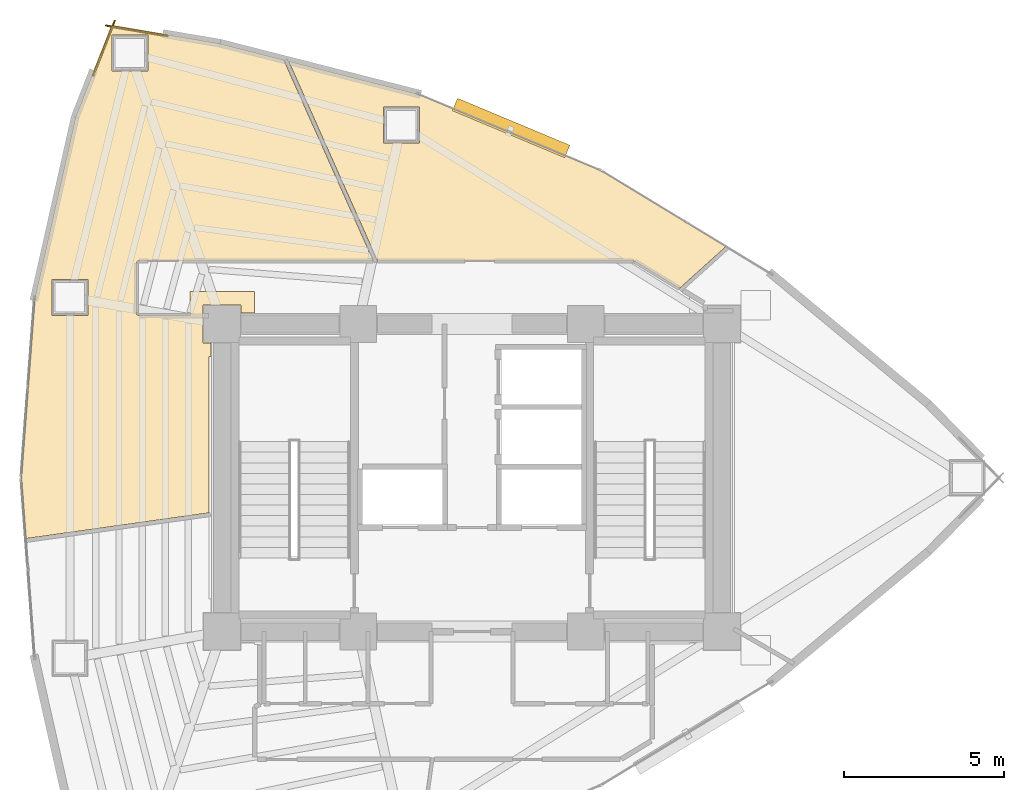
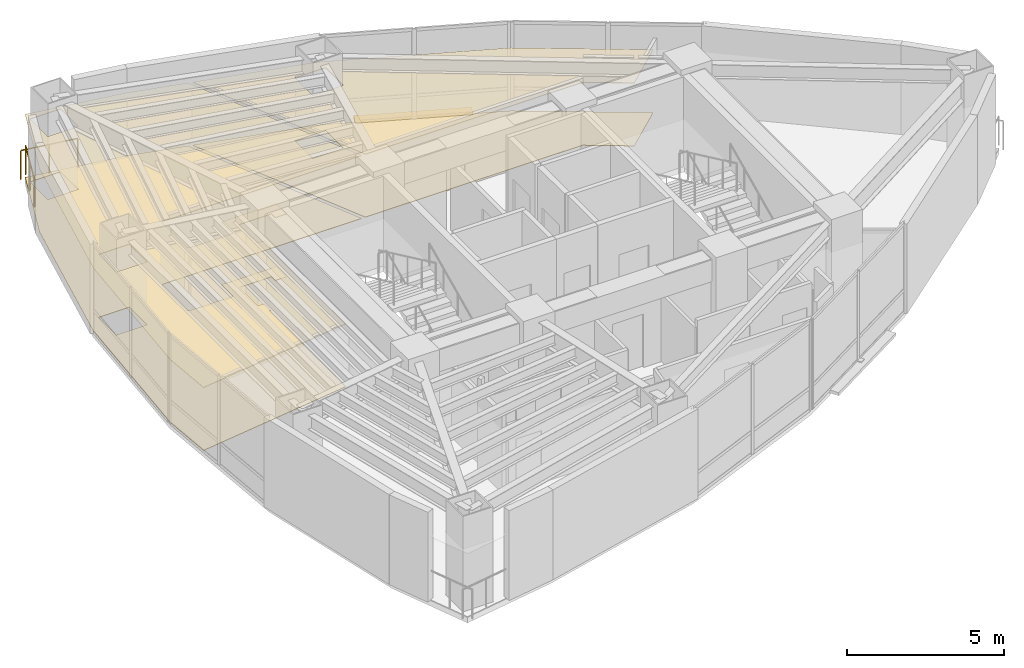
# One storey, part 15 of 15: 4 coverings, 2 railings, 1 shading device.
"""IFC4 building model written with IfcOpenShell, lengths in metres."""

import ifcopenshell
import ifcopenshell.guid

model = None  # the IFC model being written
_history = None  # IfcOwnerHistory: only IFC2X3 demands one
_inside = {}  # id of a spatial element -> (the spatial element, [elements in it])
_under = {}  # id of a project, library or spatial element -> (it, [spatial elements below it])
_declared = {}  # id of a project -> (the project, [libraries it declares])
_typed = {}  # id of a type object -> (the type object, [elements of that type])
_made_of = {}  # id of a material, layer set ... -> (it, [elements and type objects made of it])


def new_model(schema):
    """Start an empty IFC model of exactly this schema.

    Asked for "IFC4X3", IfcOpenShell would pick the latest addendum, in which some entities
    have other attributes; the version numbers below select the first issue.
    IFC2X3 requires an IfcOwnerHistory on every rooted entity: one is made here for all.
    """
    global model, _history
    if schema == "IFC4X3":
        model = ifcopenshell.file(schema_version=(4, 3, 0, 0))
    else:
        model = ifcopenshell.file(schema=schema)
    _inside.clear()
    _under.clear()
    _declared.clear()
    _typed.clear()
    _made_of.clear()
    _history = None
    if model.schema == "IFC2X3":
        org = make("IfcOrganization", Name="unknown")
        user = make(
            "IfcPersonAndOrganization",
            ThePerson=make("IfcPerson", FamilyName="unknown"),
            TheOrganization=org,
        )
        app = make(
            "IfcApplication",
            ApplicationDeveloper=org,
            Version="unknown",
            ApplicationFullName="unknown",
            ApplicationIdentifier="unknown",
        )
        _history = make(
            "IfcOwnerHistory",
            OwningUser=user,
            OwningApplication=app,
            ChangeAction="ADDED",
            CreationDate=0,
        )
    return model


def make(cls, **values):
    """One entity of the class cls with the attributes given. An attribute that is None is left unset."""
    return model.create_entity(
        cls, **{name: value for name, value in values.items() if value is not None}
    )


def rooted(cls, **values):
    """An entity with a GlobalId (a new one), such as an element, a storey or a relation."""
    return make(cls, GlobalId=ifcopenshell.guid.new(), OwnerHistory=_history, **values)


def si_unit(unit_type, name, prefix=None):
    """IfcSIUnit, for example si_unit("LENGTHUNIT", "METRE", prefix="MILLI")."""
    return make("IfcSIUnit", UnitType=unit_type, Prefix=prefix, Name=name)


def assignment(units):
    """IfcUnitAssignment: the units of a project."""
    return None if units is None else make("IfcUnitAssignment", Units=units)


def point(xyz):
    """IfcCartesianPoint."""
    return None if xyz is None else make("IfcCartesianPoint", Coordinates=xyz)


def direction(xyz):
    """IfcDirection."""
    return None if xyz is None else make("IfcDirection", DirectionRatios=xyz)


def frame(location, z_axis=None, x_axis=None):
    """IfcAxis2Placement3D, a coordinate frame: its origin and axes. An axis left out is left unset."""
    return make(
        "IfcAxis2Placement3D",
        Location=point(location),
        Axis=direction(z_axis),
        RefDirection=direction(x_axis),
    )


def frame_2d(location, x_axis=None):
    """IfcAxis2Placement2D, a coordinate frame in the plane: its origin and x axis."""
    return make(
        "IfcAxis2Placement2D", Location=point(location), RefDirection=direction(x_axis)
    )


def origin():
    """The frame at (0, 0, 0) with its axes left unset."""
    return frame((0.0, 0.0, 0.0))


def origin_2d():
    """The frame at (0, 0) in the plane with its x axis left unset."""
    return frame_2d((0.0, 0.0))


def place(relative_to, where):
    """IfcLocalPlacement: puts the frame where relative to a parent placement (None: the world)."""
    return make(
        "IfcLocalPlacement", PlacementRelTo=relative_to, RelativePlacement=where
    )


def context(
    kind, dimensions, precision=None, world=None, true_north=None, identifier=None
):
    """IfcGeometricRepresentationContext, for example the 3D "Model" context."""
    return make(
        "IfcGeometricRepresentationContext",
        ContextIdentifier=identifier,
        ContextType=kind,
        CoordinateSpaceDimension=dimensions,
        Precision=precision,
        WorldCoordinateSystem=world,
        TrueNorth=true_north,
    )


def subcontext(parent, identifier, kind, view, scale=None):
    """IfcGeometricRepresentationSubContext, for example "Body" below "Model"."""
    return make(
        "IfcGeometricRepresentationSubContext",
        ContextIdentifier=identifier,
        ContextType=kind,
        ParentContext=parent,
        TargetScale=scale,
        TargetView=view,
    )


def project(units=None, contexts=None):
    """IfcProject with its units and contexts."""
    return rooted(
        "IfcProject",
        Name="project",
        RepresentationContexts=contexts,
        UnitsInContext=assignment(units),
    )


def spatial(cls, under=None, at=None, **own):
    """A site, building, storey or space (cls), placed at a placement, below another one or the project."""
    s = rooted(cls, ObjectPlacement=at, **own)
    if under is not None:
        _under.setdefault(under.id(), (under, []))[1].append(s)
    return s


def polyline(points):
    """IfcPolyline through the points."""
    return make("IfcPolyline", Points=[point(p) for p in points])


def profile(cls, at=None, kind="AREA", **sizes):
    """A parametric profile (cls). Its sizes go by their IFC names, for example OverallWidth=200.0."""
    return make(cls, ProfileType=kind, Position=at, **sizes)


def rectangle(**sizes):
    """IfcRectangleProfileDef."""
    return profile("IfcRectangleProfileDef", **sizes)


def circle(**sizes):
    """IfcCircleProfileDef."""
    return profile("IfcCircleProfileDef", **sizes)


def outline(outer, holes=None, kind="AREA"):
    """IfcArbitraryClosedProfileDef: a profile drawn as a closed curve; with holes, ...WithVoids."""
    if holes is None:
        return make("IfcArbitraryClosedProfileDef", ProfileType=kind, OuterCurve=outer)
    return make(
        "IfcArbitraryProfileDefWithVoids",
        ProfileType=kind,
        OuterCurve=outer,
        InnerCurves=holes,
    )


def extrude(swept, where, along, depth):
    """IfcExtrudedAreaSolid: the profile swept, set in the frame where, extruded along a direction by depth."""
    return make(
        "IfcExtrudedAreaSolid",
        SweptArea=swept,
        Position=where,
        ExtrudedDirection=direction(along),
        Depth=depth,
    )


def shape(context_of_items, identifier, shape_type, items):
    """IfcShapeRepresentation: the items that make up one representation, for example the "Body"."""
    return make(
        "IfcShapeRepresentation",
        ContextOfItems=context_of_items,
        RepresentationIdentifier=identifier,
        RepresentationType=shape_type,
        Items=items,
    )


def material(Name=None, Category=None):
    """IfcMaterial."""
    return make("IfcMaterial", Name=Name, Category=Category)


def layer(
    of_material, thickness, ventilated=None, Name=None, Category=None, Priority=None
):
    """IfcMaterialLayer: one layer of a wall or slab, of a material (None: an air gap)."""
    return make(
        "IfcMaterialLayer",
        Material=of_material,
        LayerThickness=thickness,
        IsVentilated=ventilated,
        Name=Name,
        Category=Category,
        Priority=Priority,
    )


def layer_set(layers, Name=None):
    """IfcMaterialLayerSet."""
    return make("IfcMaterialLayerSet", MaterialLayers=layers, LayerSetName=Name)


def made_of(thing, what):
    """Note that an element or type object is made of a material, layer set ...; save() writes the relation."""
    if what is not None:
        _made_of.setdefault(what.id(), (what, []))[1].append(thing)
    return thing


def type_object(cls, material=None, **own):
    """A type object (cls), such as IfcWallType, which elements share."""
    return made_of(rooted(cls, **own), material)


def element(
    cls,
    number,
    at=None,
    inside=None,
    cuts=None,
    type_object=None,
    material=None,
    context=None,
    identifier="Body",
    shape_type=None,
    held_by="IfcProductDefinitionShape",
    body=None,
    shapes=None,
    **own,
):
    """One element of the class cls, such as IfcWall. Its Tag is "e" and its number.

    at: its placement. inside: the storey or other place that contains it. cuts: it is an
    opening in that element (IfcRelVoidsElement). A single representation is given by context,
    identifier, shape_type and body (its items); several are given by shapes. held_by: the class
    of the entity that holds the representations. save() writes the other relations.
    """
    e = rooted(cls, Tag="e%d" % number, ObjectPlacement=at, **own)
    if body is not None:
        shapes = [shape(context, identifier, shape_type, body)]
    if shapes is not None:
        e.Representation = make(held_by, Representations=shapes)
    if inside is not None:
        _inside.setdefault(inside.id(), (inside, []))[1].append(e)
    if cuts is not None:
        rooted(
            "IfcRelVoidsElement", RelatingBuildingElement=cuts, RelatedOpeningElement=e
        )
    if type_object is not None:
        _typed.setdefault(type_object.id(), (type_object, []))[1].append(e)
    return made_of(e, material)


def aggregate(whole, parts):
    """IfcRelAggregates: a whole, such as a stair, and the parts it consists of."""
    return rooted("IfcRelAggregates", RelatingObject=whole, RelatedObjects=parts)


def save(model, path):
    """Write the relations noted so far, then the file.

    IfcRelAggregates (storeys below a building ...), IfcRelContainedInSpatialStructure (elements
    in a storey), IfcRelDefinesByType, IfcRelAssociatesMaterial and IfcRelDeclares: one each for
    every whole, place, type object, material and project.
    """
    for whole, parts in _under.values():
        aggregate(whole, parts)
    for where, things in _inside.values():
        rooted(
            "IfcRelContainedInSpatialStructure",
            RelatedElements=things,
            RelatingStructure=where,
        )
    for kind, things in _typed.values():
        rooted("IfcRelDefinesByType", RelatedObjects=things, RelatingType=kind)
    for what, things in _made_of.values():
        rooted("IfcRelAssociatesMaterial", RelatedObjects=things, RelatingMaterial=what)
    for by, libraries in _declared.values():
        rooted("IfcRelDeclares", RelatingContext=by, RelatedDefinitions=libraries)
    model.write(path)


model = new_model("IFC4")

# Units and contexts
model_context = context("Model", 3, precision=1e-05, world=origin(), true_north=direction((0.0, 1.0)))
body_context = subcontext(model_context, "Body", "Model", "MODEL_VIEW")
ifc_project = project(units=[si_unit("LENGTHUNIT", "METRE"), si_unit("AREAUNIT", "SQUARE_METRE"), si_unit("VOLUMEUNIT", "CUBIC_METRE"), si_unit("PLANEANGLEUNIT", "RADIAN"), si_unit("MASSUNIT", "GRAM", prefix="KILO")], contexts=[model_context])

# Site, building, storey
site_placement = place(None, origin())
site = spatial("IfcSite", under=ifc_project, at=site_placement, CompositionType="ELEMENT")
building_placement = place(site_placement, origin())
building = spatial("IfcBuilding", under=site, at=building_placement, Name="Menara Vayukalpa", CompositionType="ELEMENT")
storey_placement = place(building_placement, frame((0.0, 0.0, 137.4599609375)))
storey = spatial("IfcBuildingStorey", under=building, at=storey_placement, Name="L34", CompositionType="ELEMENT", Elevation=137.4599609375)

# Coverings
ifc_material_1 = material(Name="Mineral Fibre Acoustic Ceiling Tile", Category="masonry")
ifc_layer_1 = layer(ifc_material_1, 0.02490234375)
ifc_layer_set_1 = layer_set([ifc_layer_1], Name="Mineral Fibre Acoustic Ceiling Tile")
covering_type_1 = type_object("IfcCoveringType", Name="COV-CLG1", PredefinedType="CEILING", material=ifc_layer_set_1)
covering_1_placement = place(storey_placement, frame((0.0, 0.0, 2.449951171875)))
element("IfcCovering", 1, at=covering_1_placement, inside=storey, type_object=covering_type_1, Name="L34 Corporate Training Classroom Acoustic Ceiling", PredefinedType="CEILING", context=body_context, shape_type="SweptSolid", body=[
    extrude(outline(polyline([(29.631591796875, 31.582275390625), (29.632080078125, 31.58203125), (29.6328125, 31.58154296875), (33.513916015625, 29.223876953125), (33.514892578125, 29.223388671875), (33.515625, 29.22265625), (33.51611328125, 29.221923828125), (33.516845703125, 29.22119140625), (33.517333984375, 29.220458984375), (33.517822265625, 29.219482421875), (33.518310546875, 29.218505859375), (33.5185546875, 29.2177734375), (33.518798828125, 29.216796875), (33.518798828125, 29.2158203125), (33.518798828125, 29.21484375), (33.518798828125, 29.2138671875), (33.5185546875, 29.212890625), (33.518310546875, 29.2119140625), (33.517822265625, 29.2109375), (33.517333984375, 29.210205078125), (33.516845703125, 29.209228515625), (33.51611328125, 29.20849609375), (33.515380859375, 29.2080078125), (32.080078125, 27.915283203125), (32.0791015625, 27.914794921875), (32.078369140625, 27.914306640625), (32.077392578125, 27.913818359375), (32.07666015625, 27.913330078125), (32.07568359375, 27.9130859375), (32.07470703125, 27.912841796875), (32.07373046875, 27.912841796875), (32.07275390625, 27.912841796875), (32.07177734375, 27.912841796875), (32.07080078125, 27.9130859375), (32.06982421875, 27.913330078125), (32.069091796875, 27.913818359375), (32.068115234375, 27.914306640625), (30.67626953125, 28.759765625), (30.670654296875, 28.762939453125), (30.664794921875, 28.765380859375), (30.65869140625, 28.767333984375), (30.65234375, 28.768798828125), (30.646240234375, 28.769775390625), (30.6396484375, 28.77001953125), (22.657958984375, 28.77001953125), (22.656982421875, 28.77001953125), (22.656005859375, 28.770263671875), (22.6552734375, 28.7705078125), (22.654296875, 28.770751953125), (22.6533203125, 28.77099609375), (22.652587890625, 28.771484375), (22.65185546875, 28.772216796875), (22.651123046875, 28.772705078125), (22.650390625, 28.7734375), (22.64990234375, 28.7744140625), (22.6494140625, 28.775146484375), (22.64892578125, 28.77587890625), (19.8828125, 34.98876953125), (19.88232421875, 34.989501953125), (19.882080078125, 34.990478515625), (19.882080078125, 34.991455078125), (19.8818359375, 34.992431640625), (19.8818359375, 34.993408203125), (19.882080078125, 34.994384765625), (19.882080078125, 34.995361328125), (19.882568359375, 34.996337890625), (19.8828125, 34.997314453125), (19.88330078125, 34.998046875), (19.884033203125, 34.998779296875), (19.884521484375, 34.99951171875), (19.88525390625, 35.000244140625), (19.885986328125, 35.0009765625), (19.886962890625, 35.00146484375), (19.8876953125, 35.001953125), (19.888671875, 35.002197265625), (19.8896484375, 35.00244140625), (19.890380859375, 35.002685546875), (19.8916015625, 35.002685546875), (19.892333984375, 35.002685546875), (19.893310546875, 35.002685546875), (19.894287109375, 35.00244140625), (23.89208984375, 33.98291015625), (23.8935546875, 33.982421875), (29.631591796875, 31.582275390625)]), holes=[polyline([(23.9619140625, 33.576904296875), (22.831787109375, 33.576904296875), (22.831787109375, 32.447021484375), (23.9619140625, 32.447021484375), (23.9619140625, 33.576904296875)])]), origin(), (0.0, 0.0, 1.0), 0.025146484375),
])
covering_2_placement = place(storey_placement, frame((0.0, 0.0, 2.449951171875)))
element("IfcCovering", 2, at=covering_2_placement, inside=storey, type_object=covering_type_1, Name="L34 Corporate Training Classroom Acoustic Ceiling", PredefinedType="CEILING", context=body_context, shape_type="SweptSolid", body=[
    extrude(outline(polyline([(18.81005859375, 27.14990234375), (18.389892578125, 27.14990234375), (18.389892578125, 27.389892578125), (17.2099609375, 27.389892578125), (17.2099609375, 26.2099609375), (17.449951171875, 26.2099609375), (17.449951171875, 25.7900390625), (17.389892578125, 25.7900390625), (17.389892578125, 20.915283203125), (17.389892578125, 20.914306640625), (17.389892578125, 20.91357421875), (17.3896484375, 20.91259765625), (17.389404296875, 20.91162109375), (17.388916015625, 20.910888671875), (17.388427734375, 20.909912109375), (17.387939453125, 20.9091796875), (17.38720703125, 20.908447265625), (17.386474609375, 20.90771484375), (17.3857421875, 20.9072265625), (17.385009765625, 20.90673828125), (17.384033203125, 20.90625), (17.38330078125, 20.906005859375), (17.38232421875, 20.90576171875), (17.38134765625, 20.905517578125), (11.689453125, 20.105712890625), (11.6884765625, 20.10546875), (11.6875, 20.10546875), (11.6865234375, 20.105712890625), (11.685791015625, 20.105712890625), (11.684814453125, 20.106201171875), (11.683837890625, 20.1064453125), (11.68310546875, 20.10693359375), (11.68212890625, 20.107421875), (11.681396484375, 20.10791015625), (11.680908203125, 20.108642578125), (11.68017578125, 20.109375), (11.6796875, 20.110107421875), (11.67919921875, 20.111083984375), (11.6787109375, 20.11181640625), (11.678466796875, 20.11279296875), (11.67822265625, 20.11376953125), (11.677978515625, 20.11474609375), (11.536865234375, 21.999267578125), (11.536865234375, 22.0), (11.536865234375, 22.000732421875), (11.958984375, 27.62939453125), (11.958984375, 27.631103515625), (13.2255859375, 33.260009765625), (13.225830078125, 33.2607421875), (13.22607421875, 33.261474609375), (14.348876953125, 36.120361328125), (14.349365234375, 36.12109375), (14.349853515625, 36.1220703125), (14.350341796875, 36.122802734375), (14.35107421875, 36.12353515625), (14.351806640625, 36.124267578125), (14.3525390625, 36.125), (14.353271484375, 36.12548828125), (14.354248046875, 36.125732421875), (14.35498046875, 36.126220703125), (14.35595703125, 36.12646484375), (14.35693359375, 36.126708984375), (14.35791015625, 36.126708984375), (14.35888671875, 36.126708984375), (14.35986328125, 36.126708984375), (17.730712890625, 35.55419921875), (17.7314453125, 35.55419921875), (19.7236328125, 35.0458984375), (19.724609375, 35.045654296875), (19.7255859375, 35.04541015625), (19.7265625, 35.044921875), (19.727294921875, 35.044189453125), (19.72802734375, 35.04345703125), (19.728759765625, 35.042724609375), (19.7294921875, 35.0419921875), (19.72998046875, 35.041015625), (19.73046875, 35.040283203125), (19.730712890625, 35.039306640625), (19.73095703125, 35.038330078125), (19.731201171875, 35.03662109375), (19.73291015625, 35.03076171875), (19.735107421875, 35.025146484375), (22.513916015625, 28.7841796875), (22.51416015625, 28.783203125), (22.514404296875, 28.7822265625), (22.5146484375, 28.78125), (22.5146484375, 28.7802734375), (22.5146484375, 28.779296875), (22.514404296875, 28.7783203125), (22.514404296875, 28.77734375), (22.513916015625, 28.7763671875), (22.513671875, 28.775390625), (22.51318359375, 28.774658203125), (22.512451171875, 28.773681640625), (22.51171875, 28.77294921875), (22.510986328125, 28.772216796875), (22.51025390625, 28.771728515625), (22.509521484375, 28.771240234375), (22.508544921875, 28.770751953125), (22.507568359375, 28.7705078125), (22.506591796875, 28.770263671875), (22.505615234375, 28.77001953125), (22.504638671875, 28.77001953125), (15.2001953125, 28.77001953125), (15.193115234375, 28.76953125), (15.186279296875, 28.768798828125), (15.1796875, 28.76708984375), (15.173095703125, 28.7646484375), (15.1669921875, 28.76171875), (15.1611328125, 28.75830078125), (15.155517578125, 28.75390625), (15.150390625, 28.74951171875), (15.14599609375, 28.744384765625), (15.141845703125, 28.73876953125), (15.13818359375, 28.73291015625), (15.13525390625, 28.726806640625), (15.133056640625, 28.72021484375), (15.13134765625, 28.713623046875), (15.13037109375, 28.706787109375), (15.1298828125, 28.69970703125), (15.1298828125, 27.140380859375), (15.13037109375, 27.13330078125), (15.13134765625, 27.126220703125), (15.133056640625, 27.11962890625), (15.13525390625, 27.11328125), (15.13818359375, 27.10693359375), (15.141845703125, 27.101318359375), (15.14599609375, 27.095458984375), (15.150390625, 27.090576171875), (15.155517578125, 27.0859375), (15.1611328125, 27.081787109375), (15.1669921875, 27.078125), (15.173095703125, 27.0751953125), (15.1796875, 27.072998046875), (15.186279296875, 27.0712890625), (15.193115234375, 27.0703125), (15.2001953125, 27.070068359375), (16.7900390625, 27.070068359375), (16.7900390625, 27.81005859375), (18.81005859375, 27.81005859375), (18.81005859375, 27.14990234375)]), holes=[polyline([(13.614013671875, 28.19677734375), (12.484130859375, 28.19677734375), (12.484130859375, 27.06689453125), (13.614013671875, 27.06689453125), (13.614013671875, 28.19677734375)]), polyline([(15.485595703125, 35.825439453125), (14.35546875, 35.825439453125), (14.35546875, 34.695556640625), (15.485595703125, 34.695556640625), (15.485595703125, 35.825439453125)])]), origin(), (0.0, 0.0, 1.0), 0.025146484375),
])
ifc_material_2 = material(Name="Porcelain Stoneware Floor Tile", Category="masonry")
ifc_layer_2 = layer(ifc_material_2, 0.02001953125)
ifc_layer_set_2 = layer_set([ifc_layer_2], Name="Porcelain Stoneware Floor Tile")
covering_type_2 = type_object("IfcCoveringType", Name="COV-FLR1", PredefinedType="FLOORING", material=ifc_layer_set_2)
covering_3_placement = place(storey_placement, origin())
element("IfcCovering", 3, at=covering_3_placement, inside=storey, type_object=covering_type_2, Name="L34 Corporate Training Classroom Porcelain Flooring", PredefinedType="FLOORING", context=body_context, shape_type="SweptSolid", body=[
    extrude(outline(polyline([(29.631591796875, 31.582275390625), (29.632080078125, 31.58203125), (29.6328125, 31.58154296875), (33.513916015625, 29.223876953125), (33.514892578125, 29.223388671875), (33.515625, 29.22265625), (33.51611328125, 29.221923828125), (33.516845703125, 29.22119140625), (33.517333984375, 29.220458984375), (33.517822265625, 29.219482421875), (33.518310546875, 29.218505859375), (33.5185546875, 29.2177734375), (33.518798828125, 29.216796875), (33.518798828125, 29.2158203125), (33.518798828125, 29.21484375), (33.518798828125, 29.2138671875), (33.5185546875, 29.212890625), (33.518310546875, 29.2119140625), (33.517822265625, 29.2109375), (33.517333984375, 29.210205078125), (33.516845703125, 29.209228515625), (33.51611328125, 29.20849609375), (33.515380859375, 29.2080078125), (32.080078125, 27.915283203125), (32.0791015625, 27.914794921875), (32.078369140625, 27.914306640625), (32.077392578125, 27.913818359375), (32.07666015625, 27.913330078125), (32.07568359375, 27.9130859375), (32.07470703125, 27.912841796875), (32.07373046875, 27.912841796875), (32.07275390625, 27.912841796875), (32.07177734375, 27.912841796875), (32.07080078125, 27.9130859375), (32.06982421875, 27.913330078125), (32.069091796875, 27.913818359375), (32.068115234375, 27.914306640625), (30.67626953125, 28.759765625), (30.670654296875, 28.762939453125), (30.664794921875, 28.765380859375), (30.65869140625, 28.767333984375), (30.65234375, 28.768798828125), (30.646240234375, 28.769775390625), (30.6396484375, 28.77001953125), (22.657958984375, 28.77001953125), (22.656982421875, 28.77001953125), (22.656005859375, 28.770263671875), (22.6552734375, 28.7705078125), (22.654296875, 28.770751953125), (22.6533203125, 28.77099609375), (22.652587890625, 28.771484375), (22.65185546875, 28.772216796875), (22.651123046875, 28.772705078125), (22.650390625, 28.7734375), (22.64990234375, 28.7744140625), (22.6494140625, 28.775146484375), (22.64892578125, 28.77587890625), (19.8828125, 34.98876953125), (19.88232421875, 34.989501953125), (19.882080078125, 34.990478515625), (19.882080078125, 34.991455078125), (19.8818359375, 34.992431640625), (19.8818359375, 34.993408203125), (19.882080078125, 34.994384765625), (19.882080078125, 34.995361328125), (19.882568359375, 34.996337890625), (19.8828125, 34.997314453125), (19.88330078125, 34.998046875), (19.884033203125, 34.998779296875), (19.884521484375, 34.99951171875), (19.88525390625, 35.000244140625), (19.885986328125, 35.0009765625), (19.886962890625, 35.00146484375), (19.8876953125, 35.001953125), (19.888671875, 35.002197265625), (19.8896484375, 35.00244140625), (19.890380859375, 35.002685546875), (19.8916015625, 35.002685546875), (19.892333984375, 35.002685546875), (19.893310546875, 35.002685546875), (19.894287109375, 35.00244140625), (23.89208984375, 33.98291015625), (23.8935546875, 33.982421875), (29.631591796875, 31.582275390625)]), holes=[polyline([(23.9619140625, 33.576904296875), (22.831787109375, 33.576904296875), (22.831787109375, 32.447021484375), (23.9619140625, 32.447021484375), (23.9619140625, 33.576904296875)])]), origin(), (0.0, 0.0, 1.0), 0.02001953125),
])
covering_4_placement = place(storey_placement, origin())
element("IfcCovering", 4, at=covering_4_placement, inside=storey, type_object=covering_type_2, Name="L34 Corporate Training Classroom Porcelain Flooring", PredefinedType="FLOORING", context=body_context, shape_type="SweptSolid", body=[
    extrude(outline(polyline([(18.81005859375, 27.14990234375), (18.389892578125, 27.14990234375), (18.389892578125, 27.389892578125), (17.2099609375, 27.389892578125), (17.2099609375, 26.2099609375), (17.449951171875, 26.2099609375), (17.449951171875, 25.7900390625), (17.389892578125, 25.7900390625), (17.389892578125, 20.915283203125), (17.389892578125, 20.914306640625), (17.389892578125, 20.91357421875), (17.3896484375, 20.91259765625), (17.389404296875, 20.91162109375), (17.388916015625, 20.910888671875), (17.388427734375, 20.909912109375), (17.387939453125, 20.9091796875), (17.38720703125, 20.908447265625), (17.386474609375, 20.90771484375), (17.3857421875, 20.9072265625), (17.385009765625, 20.90673828125), (17.384033203125, 20.90625), (17.38330078125, 20.906005859375), (17.38232421875, 20.90576171875), (17.38134765625, 20.905517578125), (11.689453125, 20.105712890625), (11.6884765625, 20.10546875), (11.6875, 20.10546875), (11.6865234375, 20.105712890625), (11.685791015625, 20.105712890625), (11.684814453125, 20.106201171875), (11.683837890625, 20.1064453125), (11.68310546875, 20.10693359375), (11.68212890625, 20.107421875), (11.681396484375, 20.10791015625), (11.680908203125, 20.108642578125), (11.68017578125, 20.109375), (11.6796875, 20.110107421875), (11.67919921875, 20.111083984375), (11.6787109375, 20.11181640625), (11.678466796875, 20.11279296875), (11.67822265625, 20.11376953125), (11.677978515625, 20.11474609375), (11.536865234375, 21.999267578125), (11.536865234375, 22.0), (11.536865234375, 22.000732421875), (11.958984375, 27.62939453125), (11.958984375, 27.631103515625), (13.2255859375, 33.260009765625), (13.225830078125, 33.2607421875), (13.22607421875, 33.261474609375), (14.348876953125, 36.120361328125), (14.349365234375, 36.12109375), (14.349853515625, 36.1220703125), (14.350341796875, 36.122802734375), (14.35107421875, 36.12353515625), (14.351806640625, 36.124267578125), (14.3525390625, 36.125), (14.353271484375, 36.12548828125), (14.354248046875, 36.125732421875), (14.35498046875, 36.126220703125), (14.35595703125, 36.12646484375), (14.35693359375, 36.126708984375), (14.35791015625, 36.126708984375), (14.35888671875, 36.126708984375), (14.35986328125, 36.126708984375), (17.730712890625, 35.55419921875), (17.7314453125, 35.55419921875), (19.7236328125, 35.0458984375), (19.724609375, 35.045654296875), (19.7255859375, 35.04541015625), (19.7265625, 35.044921875), (19.727294921875, 35.044189453125), (19.72802734375, 35.04345703125), (19.728759765625, 35.042724609375), (19.7294921875, 35.0419921875), (19.72998046875, 35.041015625), (19.73046875, 35.040283203125), (19.730712890625, 35.039306640625), (19.73095703125, 35.038330078125), (19.731201171875, 35.03662109375), (19.73291015625, 35.03076171875), (19.735107421875, 35.025146484375), (22.513916015625, 28.7841796875), (22.51416015625, 28.783203125), (22.514404296875, 28.7822265625), (22.5146484375, 28.78125), (22.5146484375, 28.7802734375), (22.5146484375, 28.779296875), (22.514404296875, 28.7783203125), (22.514404296875, 28.77734375), (22.513916015625, 28.7763671875), (22.513671875, 28.775390625), (22.51318359375, 28.774658203125), (22.512451171875, 28.773681640625), (22.51171875, 28.77294921875), (22.510986328125, 28.772216796875), (22.51025390625, 28.771728515625), (22.509521484375, 28.771240234375), (22.508544921875, 28.770751953125), (22.507568359375, 28.7705078125), (22.506591796875, 28.770263671875), (22.505615234375, 28.77001953125), (22.504638671875, 28.77001953125), (15.2001953125, 28.77001953125), (15.193115234375, 28.76953125), (15.186279296875, 28.768798828125), (15.1796875, 28.76708984375), (15.173095703125, 28.7646484375), (15.1669921875, 28.76171875), (15.1611328125, 28.75830078125), (15.155517578125, 28.75390625), (15.150390625, 28.74951171875), (15.14599609375, 28.744384765625), (15.141845703125, 28.73876953125), (15.13818359375, 28.73291015625), (15.13525390625, 28.726806640625), (15.133056640625, 28.72021484375), (15.13134765625, 28.713623046875), (15.13037109375, 28.706787109375), (15.1298828125, 28.69970703125), (15.1298828125, 27.140380859375), (15.13037109375, 27.13330078125), (15.13134765625, 27.126220703125), (15.133056640625, 27.11962890625), (15.13525390625, 27.11328125), (15.13818359375, 27.10693359375), (15.141845703125, 27.101318359375), (15.14599609375, 27.095458984375), (15.150390625, 27.090576171875), (15.155517578125, 27.0859375), (15.1611328125, 27.081787109375), (15.1669921875, 27.078125), (15.173095703125, 27.0751953125), (15.1796875, 27.072998046875), (15.186279296875, 27.0712890625), (15.193115234375, 27.0703125), (15.2001953125, 27.070068359375), (16.7900390625, 27.070068359375), (16.7900390625, 27.81005859375), (18.81005859375, 27.81005859375), (18.81005859375, 27.14990234375)]), holes=[polyline([(13.614013671875, 28.19677734375), (12.484130859375, 28.19677734375), (12.484130859375, 27.06689453125), (13.614013671875, 27.06689453125), (13.614013671875, 28.19677734375)]), polyline([(15.485595703125, 35.825439453125), (14.35546875, 35.825439453125), (14.35546875, 34.695556640625), (15.485595703125, 34.695556640625), (15.485595703125, 35.825439453125)])]), origin(), (0.0, 0.0, 1.0), 0.02001953125),
])

# Railings
ifc_material_3 = material(Name="Laminated Glass and Stainless Steel 316 Guardrail", Category="steel")
railing_type = type_object("IfcRailingType", Name="RLG-EXT115", PredefinedType="GUARDRAIL", material=ifc_material_3)
railing_1_placement = place(storey_placement, frame((16.095947265625, 35.791259765625, 0.0)))
element("IfcRailing", 5, at=railing_1_placement, inside=storey, type_object=railing_type, Name="L34 Column Corner Spandrel Guardrail 07-1", PredefinedType="GUARDRAIL", context=body_context, shape_type="SweptSolid", body=[
    extrude(circle(Radius=0.02392578125, at=origin_2d()), frame((0.0, 0.0, 1.1259765625), z_axis=(-0.985886955751, 0.167412396435, 0.0), x_axis=(-0.167412396435, -0.985886955751, 0.0)), (0.0, 0.0, 1.0), 1.94384765625),
    extrude(circle(Radius=0.02099609375, at=origin_2d()), origin(), (0.0, 0.0, 1.0), 1.101806640625),
    extrude(circle(Radius=0.02099609375, at=origin_2d()), frame((-0.958251953125, 0.16259765625, 0.0)), (0.0, 0.0, 1.0), 1.101806640625),
    extrude(circle(Radius=0.02099609375, at=origin_2d()), frame((-1.91650390625, 0.325439453125, 0.0)), (0.0, 0.0, 1.0), 1.101806640625),
])
railing_2_placement = place(storey_placement, frame((14.450439453125, 36.269775390625, 0.0)))
element("IfcRailing", 6, at=railing_2_placement, inside=storey, type_object=railing_type, Name="L34 Column Corner Spandrel Guardrail 08-1", PredefinedType="GUARDRAIL", context=body_context, shape_type="SweptSolid", body=[
    extrude(circle(Radius=0.02392578125, at=origin_2d()), frame((0.0, 0.0, 1.1259765625), z_axis=(-0.365496165744, -0.93081284522, 0.0), x_axis=(0.93081284522, -0.365496165744, 0.0)), (0.0, 0.0, 1.0), 1.837646484375),
    extrude(circle(Radius=0.02099609375, at=origin_2d()), origin(), (0.0, 0.0, 1.0), 1.101806640625),
    extrude(circle(Radius=0.02099609375, at=origin_2d()), frame((-0.3359375, -0.855224609375, 0.0)), (0.0, 0.0, 1.0), 1.101806640625),
    extrude(circle(Radius=0.02099609375, at=origin_2d()), frame((-0.671630859375, -1.71044921875, 0.0)), (0.0, 0.0, 1.0), 1.101806640625),
])

# Shading device
ifc_material_4 = material(Name="Glazed Terracotta Ceramic Baguette Extrusion", Category="masonry")
ifc_layer_3 = layer(ifc_material_4, 0.1201171875)
ifc_layer_set_3 = layer_set([ifc_layer_3], Name="Glazed Terracotta Ceramic Baguette Extrusion")
shading_device_type = type_object("IfcShadingDeviceType", Name="SHD-SS1", PredefinedType="USERDEFINED", material=ifc_layer_set_3)
shading_device_placement = place(storey_placement, frame((26.8203125, 32.9208984375, -0.10009765625), z_axis=(0.0, 0.0, 1.0), x_axis=(-0.922544824647, 0.385889940938, 0.0)))
element("IfcShadingDevice", 7, at=shading_device_placement, inside=storey, type_object=shading_device_type, Name="L34 Horizontal Terracotta Sunshade Band 05", ObjectType="SUNSHADE", PredefinedType="USERDEFINED", context=body_context, shape_type="SweptSolid", body=[
    extrude(rectangle(XDim=3.800048828125, YDim=0.419921875, at=origin_2d()), origin(), (0.0, 0.0, 1.0), 0.1201171875),
])

save(model, "model.ifc")
